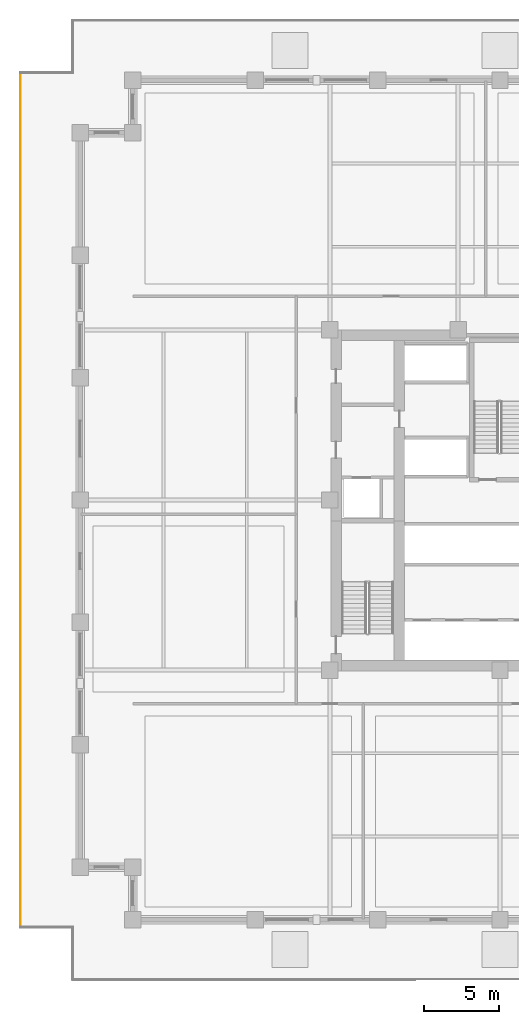
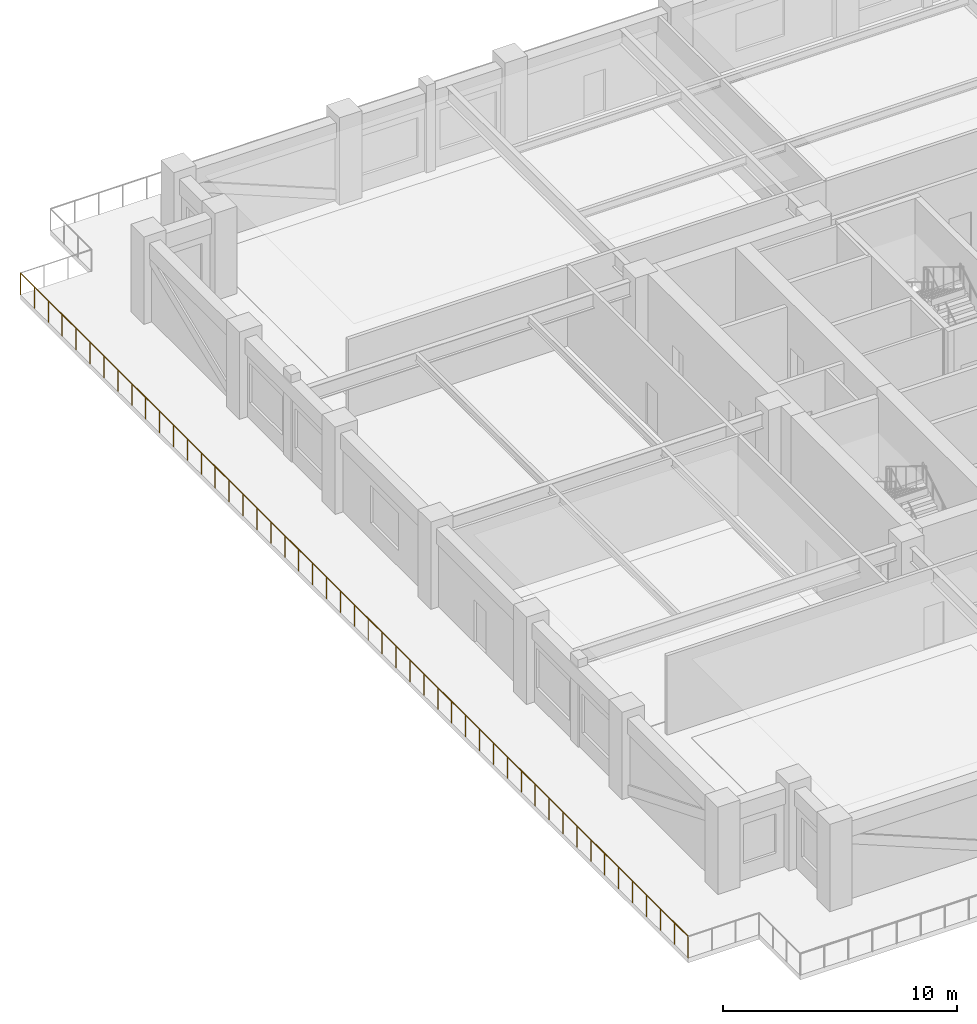
# One storey, part 11 of 13: 1 railing.
"""IFC4 building model written with IfcOpenShell, lengths in metres."""

import ifcopenshell
import ifcopenshell.guid

model = None  # the IFC model being written
_history = None  # IfcOwnerHistory: only IFC2X3 demands one
_inside = {}  # id of a spatial element -> (the spatial element, [elements in it])
_under = {}  # id of a project, library or spatial element -> (it, [spatial elements below it])
_declared = {}  # id of a project -> (the project, [libraries it declares])
_typed = {}  # id of a type object -> (the type object, [elements of that type])
_made_of = {}  # id of a material, layer set ... -> (it, [elements and type objects made of it])


def new_model(schema):
    """Start an empty IFC model of exactly this schema.

    Asked for "IFC4X3", IfcOpenShell would pick the latest addendum, in which some entities
    have other attributes; the version numbers below select the first issue.
    IFC2X3 requires an IfcOwnerHistory on every rooted entity: one is made here for all.
    """
    global model, _history
    if schema == "IFC4X3":
        model = ifcopenshell.file(schema_version=(4, 3, 0, 0))
    else:
        model = ifcopenshell.file(schema=schema)
    _inside.clear()
    _under.clear()
    _declared.clear()
    _typed.clear()
    _made_of.clear()
    _history = None
    if model.schema == "IFC2X3":
        org = make("IfcOrganization", Name="unknown")
        user = make(
            "IfcPersonAndOrganization",
            ThePerson=make("IfcPerson", FamilyName="unknown"),
            TheOrganization=org,
        )
        app = make(
            "IfcApplication",
            ApplicationDeveloper=org,
            Version="unknown",
            ApplicationFullName="unknown",
            ApplicationIdentifier="unknown",
        )
        _history = make(
            "IfcOwnerHistory",
            OwningUser=user,
            OwningApplication=app,
            ChangeAction="ADDED",
            CreationDate=0,
        )
    return model


def make(cls, **values):
    """One entity of the class cls with the attributes given. An attribute that is None is left unset."""
    return model.create_entity(
        cls, **{name: value for name, value in values.items() if value is not None}
    )


def rooted(cls, **values):
    """An entity with a GlobalId (a new one), such as an element, a storey or a relation."""
    return make(cls, GlobalId=ifcopenshell.guid.new(), OwnerHistory=_history, **values)


def si_unit(unit_type, name, prefix=None):
    """IfcSIUnit, for example si_unit("LENGTHUNIT", "METRE", prefix="MILLI")."""
    return make("IfcSIUnit", UnitType=unit_type, Prefix=prefix, Name=name)


def assignment(units):
    """IfcUnitAssignment: the units of a project."""
    return None if units is None else make("IfcUnitAssignment", Units=units)


def point(xyz):
    """IfcCartesianPoint."""
    return None if xyz is None else make("IfcCartesianPoint", Coordinates=xyz)


def direction(xyz):
    """IfcDirection."""
    return None if xyz is None else make("IfcDirection", DirectionRatios=xyz)


def frame(location, z_axis=None, x_axis=None):
    """IfcAxis2Placement3D, a coordinate frame: its origin and axes. An axis left out is left unset."""
    return make(
        "IfcAxis2Placement3D",
        Location=point(location),
        Axis=direction(z_axis),
        RefDirection=direction(x_axis),
    )


def frame_2d(location, x_axis=None):
    """IfcAxis2Placement2D, a coordinate frame in the plane: its origin and x axis."""
    return make(
        "IfcAxis2Placement2D", Location=point(location), RefDirection=direction(x_axis)
    )


def origin():
    """The frame at (0, 0, 0) with its axes left unset."""
    return frame((0.0, 0.0, 0.0))


def origin_2d():
    """The frame at (0, 0) in the plane with its x axis left unset."""
    return frame_2d((0.0, 0.0))


def place(relative_to, where):
    """IfcLocalPlacement: puts the frame where relative to a parent placement (None: the world)."""
    return make(
        "IfcLocalPlacement", PlacementRelTo=relative_to, RelativePlacement=where
    )


def context(
    kind, dimensions, precision=None, world=None, true_north=None, identifier=None
):
    """IfcGeometricRepresentationContext, for example the 3D "Model" context."""
    return make(
        "IfcGeometricRepresentationContext",
        ContextIdentifier=identifier,
        ContextType=kind,
        CoordinateSpaceDimension=dimensions,
        Precision=precision,
        WorldCoordinateSystem=world,
        TrueNorth=true_north,
    )


def subcontext(parent, identifier, kind, view, scale=None):
    """IfcGeometricRepresentationSubContext, for example "Body" below "Model"."""
    return make(
        "IfcGeometricRepresentationSubContext",
        ContextIdentifier=identifier,
        ContextType=kind,
        ParentContext=parent,
        TargetScale=scale,
        TargetView=view,
    )


def project(units=None, contexts=None):
    """IfcProject with its units and contexts."""
    return rooted(
        "IfcProject",
        Name="project",
        RepresentationContexts=contexts,
        UnitsInContext=assignment(units),
    )


def spatial(cls, under=None, at=None, **own):
    """A site, building, storey or space (cls), placed at a placement, below another one or the project."""
    s = rooted(cls, ObjectPlacement=at, **own)
    if under is not None:
        _under.setdefault(under.id(), (under, []))[1].append(s)
    return s


def profile(cls, at=None, kind="AREA", **sizes):
    """A parametric profile (cls). Its sizes go by their IFC names, for example OverallWidth=200.0."""
    return make(cls, ProfileType=kind, Position=at, **sizes)


def circle(**sizes):
    """IfcCircleProfileDef."""
    return profile("IfcCircleProfileDef", **sizes)


def extrude(swept, where, along, depth):
    """IfcExtrudedAreaSolid: the profile swept, set in the frame where, extruded along a direction by depth."""
    return make(
        "IfcExtrudedAreaSolid",
        SweptArea=swept,
        Position=where,
        ExtrudedDirection=direction(along),
        Depth=depth,
    )


def shape(context_of_items, identifier, shape_type, items):
    """IfcShapeRepresentation: the items that make up one representation, for example the "Body"."""
    return make(
        "IfcShapeRepresentation",
        ContextOfItems=context_of_items,
        RepresentationIdentifier=identifier,
        RepresentationType=shape_type,
        Items=items,
    )


def material(Name=None, Category=None):
    """IfcMaterial."""
    return make("IfcMaterial", Name=Name, Category=Category)


def made_of(thing, what):
    """Note that an element or type object is made of a material, layer set ...; save() writes the relation."""
    if what is not None:
        _made_of.setdefault(what.id(), (what, []))[1].append(thing)
    return thing


def type_object(cls, material=None, **own):
    """A type object (cls), such as IfcWallType, which elements share."""
    return made_of(rooted(cls, **own), material)


def element(
    cls,
    number,
    at=None,
    inside=None,
    cuts=None,
    type_object=None,
    material=None,
    context=None,
    identifier="Body",
    shape_type=None,
    held_by="IfcProductDefinitionShape",
    body=None,
    shapes=None,
    **own,
):
    """One element of the class cls, such as IfcWall. Its Tag is "e" and its number.

    at: its placement. inside: the storey or other place that contains it. cuts: it is an
    opening in that element (IfcRelVoidsElement). A single representation is given by context,
    identifier, shape_type and body (its items); several are given by shapes. held_by: the class
    of the entity that holds the representations. save() writes the other relations.
    """
    e = rooted(cls, Tag="e%d" % number, ObjectPlacement=at, **own)
    if body is not None:
        shapes = [shape(context, identifier, shape_type, body)]
    if shapes is not None:
        e.Representation = make(held_by, Representations=shapes)
    if inside is not None:
        _inside.setdefault(inside.id(), (inside, []))[1].append(e)
    if cuts is not None:
        rooted(
            "IfcRelVoidsElement", RelatingBuildingElement=cuts, RelatedOpeningElement=e
        )
    if type_object is not None:
        _typed.setdefault(type_object.id(), (type_object, []))[1].append(e)
    return made_of(e, material)


def aggregate(whole, parts):
    """IfcRelAggregates: a whole, such as a stair, and the parts it consists of."""
    return rooted("IfcRelAggregates", RelatingObject=whole, RelatedObjects=parts)


def save(model, path):
    """Write the relations noted so far, then the file.

    IfcRelAggregates (storeys below a building ...), IfcRelContainedInSpatialStructure (elements
    in a storey), IfcRelDefinesByType, IfcRelAssociatesMaterial and IfcRelDeclares: one each for
    every whole, place, type object, material and project.
    """
    for whole, parts in _under.values():
        aggregate(whole, parts)
    for where, things in _inside.values():
        rooted(
            "IfcRelContainedInSpatialStructure",
            RelatedElements=things,
            RelatingStructure=where,
        )
    for kind, things in _typed.values():
        rooted("IfcRelDefinesByType", RelatedObjects=things, RelatingType=kind)
    for what, things in _made_of.values():
        rooted("IfcRelAssociatesMaterial", RelatedObjects=things, RelatingMaterial=what)
    for by, libraries in _declared.values():
        rooted("IfcRelDeclares", RelatingContext=by, RelatedDefinitions=libraries)
    model.write(path)


model = new_model("IFC4")

# Units and contexts
model_context = context("Model", 3, precision=1e-05, world=origin(), true_north=direction((0.0, 1.0)))
body_context = subcontext(model_context, "Body", "Model", "MODEL_VIEW")
ifc_project = project(units=[si_unit("LENGTHUNIT", "METRE"), si_unit("AREAUNIT", "SQUARE_METRE"), si_unit("VOLUMEUNIT", "CUBIC_METRE"), si_unit("PLANEANGLEUNIT", "RADIAN"), si_unit("MASSUNIT", "GRAM", prefix="KILO")], contexts=[model_context])

# Site, building, storey
site_placement = place(None, origin())
site = spatial("IfcSite", under=ifc_project, at=site_placement, CompositionType="ELEMENT")
building_placement = place(site_placement, origin())
building = spatial("IfcBuilding", under=site, at=building_placement, Name="Nhamokura Convention Tower", CompositionType="ELEMENT")
storey_placement = place(building_placement, frame((0.0, 0.0, 34.300048828125)))
storey = spatial("IfcBuildingStorey", under=building, at=storey_placement, Name="L06", CompositionType="ELEMENT", Elevation=34.300048828125)

# Railing
ifc_material = material(Name="Anodised bronze stainless steel", Category="steel")
railing_type = type_object("IfcRailingType", Name="TerraceGuardrail_1150", PredefinedType="GUARDRAIL", material=ifc_material)
railing_placement = place(storey_placement, frame((0.0, 60.5, 0.0)))
element("IfcRailing", 1, at=railing_placement, inside=storey, type_object=railing_type, Name="L06 Perimeter Guardrail 10", PredefinedType="GUARDRAIL", context=body_context, shape_type="SweptSolid", body=[
    extrude(circle(Radius=0.02392578125, at=origin_2d()), frame((0.0, 0.0, 1.1259765625), z_axis=(0.0, -1.0, 0.0), x_axis=(1.0, 0.0, 0.0)), (0.0, 0.0, 1.0), 57.0),
    extrude(circle(Radius=0.02099609375, at=origin_2d()), origin(), (0.0, 0.0, 1.0), 1.101806640625),
    extrude(circle(Radius=0.02099609375, at=origin_2d()), frame((0.0, -1.1875, 0.0)), (0.0, 0.0, 1.0), 1.101806640625),
    extrude(circle(Radius=0.02099609375, at=origin_2d()), frame((0.0, -2.375, 0.0)), (0.0, 0.0, 1.0), 1.101806640625),
    extrude(circle(Radius=0.02099609375, at=origin_2d()), frame((0.0, -3.5625, 0.0)), (0.0, 0.0, 1.0), 1.101806640625),
    extrude(circle(Radius=0.02099609375, at=origin_2d()), frame((0.0, -4.75, 0.0)), (0.0, 0.0, 1.0), 1.101806640625),
    extrude(circle(Radius=0.02099609375, at=origin_2d()), frame((0.0, -5.9375, 0.0)), (0.0, 0.0, 1.0), 1.101806640625),
    extrude(circle(Radius=0.02099609375, at=origin_2d()), frame((0.0, -7.125, 0.0)), (0.0, 0.0, 1.0), 1.101806640625),
    extrude(circle(Radius=0.02099609375, at=origin_2d()), frame((0.0, -8.3125, 0.0)), (0.0, 0.0, 1.0), 1.101806640625),
    extrude(circle(Radius=0.02099609375, at=origin_2d()), frame((0.0, -9.5, 0.0)), (0.0, 0.0, 1.0), 1.101806640625),
    extrude(circle(Radius=0.02099609375, at=origin_2d()), frame((0.0, -10.6875, 0.0)), (0.0, 0.0, 1.0), 1.101806640625),
    extrude(circle(Radius=0.02099609375, at=origin_2d()), frame((0.0, -11.875, 0.0)), (0.0, 0.0, 1.0), 1.101806640625),
    extrude(circle(Radius=0.02099609375, at=origin_2d()), frame((0.0, -13.0625, 0.0)), (0.0, 0.0, 1.0), 1.101806640625),
    extrude(circle(Radius=0.02099609375, at=origin_2d()), frame((0.0, -14.25, 0.0)), (0.0, 0.0, 1.0), 1.101806640625),
    extrude(circle(Radius=0.02099609375, at=origin_2d()), frame((0.0, -15.4375, 0.0)), (0.0, 0.0, 1.0), 1.101806640625),
    extrude(circle(Radius=0.02099609375, at=origin_2d()), frame((0.0, -16.625, 0.0)), (0.0, 0.0, 1.0), 1.101806640625),
    extrude(circle(Radius=0.02099609375, at=origin_2d()), frame((0.0, -17.8125, 0.0)), (0.0, 0.0, 1.0), 1.101806640625),
    extrude(circle(Radius=0.02099609375, at=origin_2d()), frame((0.0, -19.0, 0.0)), (0.0, 0.0, 1.0), 1.101806640625),
    extrude(circle(Radius=0.02099609375, at=origin_2d()), frame((0.0, -20.1875, 0.0)), (0.0, 0.0, 1.0), 1.101806640625),
    extrude(circle(Radius=0.02099609375, at=origin_2d()), frame((0.0, -21.375, 0.0)), (0.0, 0.0, 1.0), 1.101806640625),
    extrude(circle(Radius=0.02099609375, at=origin_2d()), frame((0.0, -22.5625, 0.0)), (0.0, 0.0, 1.0), 1.101806640625),
    extrude(circle(Radius=0.02099609375, at=origin_2d()), frame((0.0, -23.75, 0.0)), (0.0, 0.0, 1.0), 1.101806640625),
    extrude(circle(Radius=0.02099609375, at=origin_2d()), frame((0.0, -24.9375, 0.0)), (0.0, 0.0, 1.0), 1.101806640625),
    extrude(circle(Radius=0.02099609375, at=origin_2d()), frame((0.0, -26.125, 0.0)), (0.0, 0.0, 1.0), 1.101806640625),
    extrude(circle(Radius=0.02099609375, at=origin_2d()), frame((0.0, -27.3125, 0.0)), (0.0, 0.0, 1.0), 1.101806640625),
    extrude(circle(Radius=0.02099609375, at=origin_2d()), frame((0.0, -28.5, 0.0)), (0.0, 0.0, 1.0), 1.101806640625),
    extrude(circle(Radius=0.02099609375, at=origin_2d()), frame((0.0, -29.6875, 0.0)), (0.0, 0.0, 1.0), 1.101806640625),
    extrude(circle(Radius=0.02099609375, at=origin_2d()), frame((0.0, -30.875, 0.0)), (0.0, 0.0, 1.0), 1.101806640625),
    extrude(circle(Radius=0.02099609375, at=origin_2d()), frame((0.0, -32.0625, 0.0)), (0.0, 0.0, 1.0), 1.101806640625),
    extrude(circle(Radius=0.02099609375, at=origin_2d()), frame((0.0, -33.25, 0.0)), (0.0, 0.0, 1.0), 1.101806640625),
    extrude(circle(Radius=0.02099609375, at=origin_2d()), frame((0.0, -34.4375, 0.0)), (0.0, 0.0, 1.0), 1.101806640625),
    extrude(circle(Radius=0.02099609375, at=origin_2d()), frame((0.0, -35.625, 0.0)), (0.0, 0.0, 1.0), 1.101806640625),
    extrude(circle(Radius=0.02099609375, at=origin_2d()), frame((0.0, -36.8125, 0.0)), (0.0, 0.0, 1.0), 1.101806640625),
    extrude(circle(Radius=0.02099609375, at=origin_2d()), frame((0.0, -38.0, 0.0)), (0.0, 0.0, 1.0), 1.101806640625),
    extrude(circle(Radius=0.02099609375, at=origin_2d()), frame((0.0, -39.1875, 0.0)), (0.0, 0.0, 1.0), 1.101806640625),
    extrude(circle(Radius=0.02099609375, at=origin_2d()), frame((0.0, -40.375, 0.0)), (0.0, 0.0, 1.0), 1.101806640625),
    extrude(circle(Radius=0.02099609375, at=origin_2d()), frame((0.0, -41.5625, 0.0)), (0.0, 0.0, 1.0), 1.101806640625),
    extrude(circle(Radius=0.02099609375, at=origin_2d()), frame((0.0, -42.75, 0.0)), (0.0, 0.0, 1.0), 1.101806640625),
    extrude(circle(Radius=0.02099609375, at=origin_2d()), frame((0.0, -43.9375, 0.0)), (0.0, 0.0, 1.0), 1.101806640625),
    extrude(circle(Radius=0.02099609375, at=origin_2d()), frame((0.0, -45.125, 0.0)), (0.0, 0.0, 1.0), 1.101806640625),
    extrude(circle(Radius=0.02099609375, at=origin_2d()), frame((0.0, -46.3125, 0.0)), (0.0, 0.0, 1.0), 1.101806640625),
    extrude(circle(Radius=0.02099609375, at=origin_2d()), frame((0.0, -47.5, 0.0)), (0.0, 0.0, 1.0), 1.101806640625),
    extrude(circle(Radius=0.02099609375, at=origin_2d()), frame((0.0, -48.6875, 0.0)), (0.0, 0.0, 1.0), 1.101806640625),
    extrude(circle(Radius=0.02099609375, at=origin_2d()), frame((0.0, -49.875, 0.0)), (0.0, 0.0, 1.0), 1.101806640625),
    extrude(circle(Radius=0.02099609375, at=origin_2d()), frame((0.0, -51.0625, 0.0)), (0.0, 0.0, 1.0), 1.101806640625),
    extrude(circle(Radius=0.02099609375, at=origin_2d()), frame((0.0, -52.25, 0.0)), (0.0, 0.0, 1.0), 1.101806640625),
    extrude(circle(Radius=0.02099609375, at=origin_2d()), frame((0.0, -53.4375, 0.0)), (0.0, 0.0, 1.0), 1.101806640625),
    extrude(circle(Radius=0.02099609375, at=origin_2d()), frame((0.0, -54.625, 0.0)), (0.0, 0.0, 1.0), 1.101806640625),
    extrude(circle(Radius=0.02099609375, at=origin_2d()), frame((0.0, -55.8125, 0.0)), (0.0, 0.0, 1.0), 1.101806640625),
    extrude(circle(Radius=0.02099609375, at=origin_2d()), frame((0.0, -57.0, 0.0)), (0.0, 0.0, 1.0), 1.101806640625),
])

save(model, "model.ifc")
